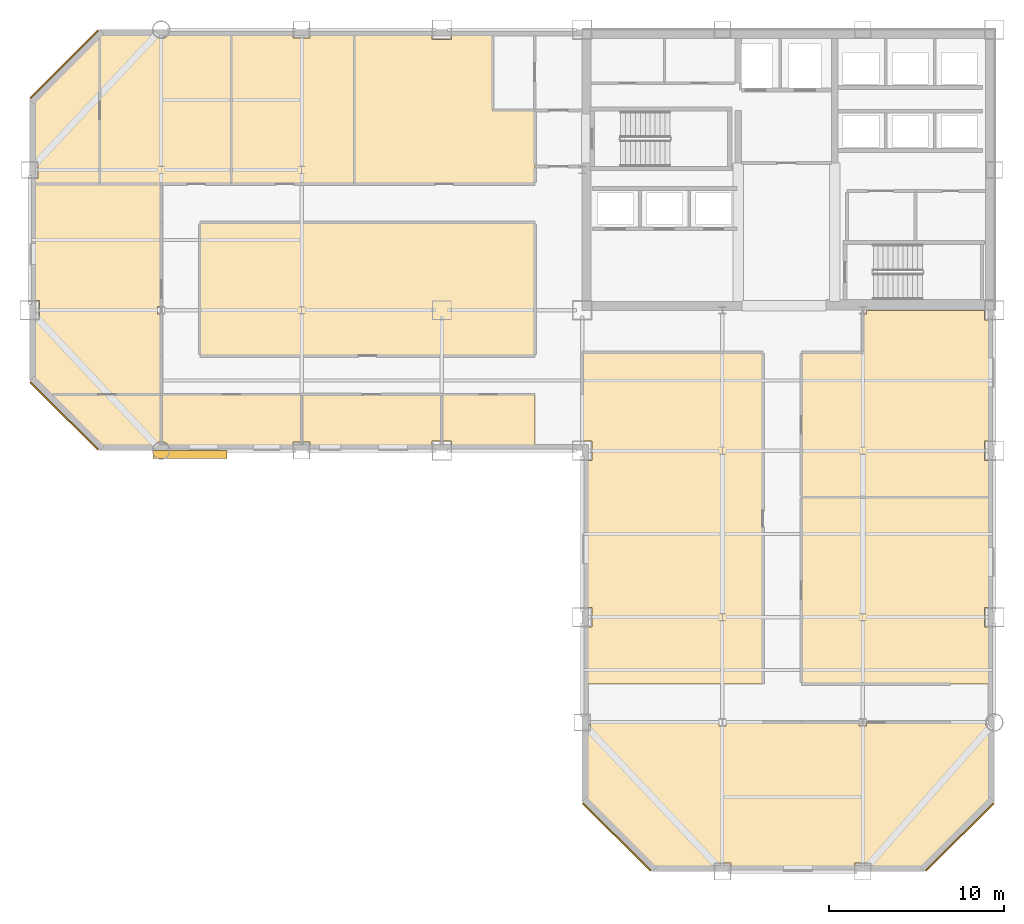
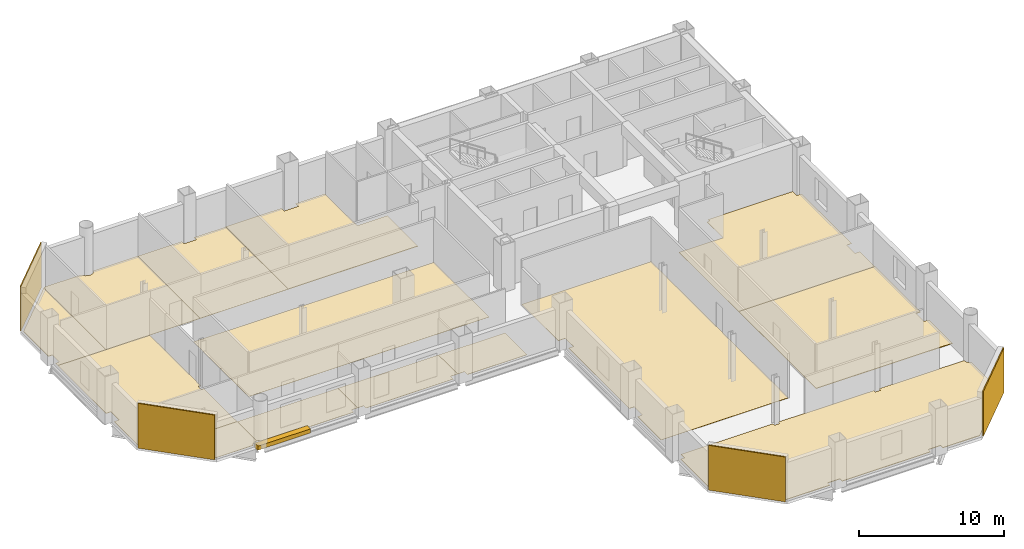
# One storey, part 9 of 10: 18 coverings, 1 shading device.
"""IFC4 building model written with IfcOpenShell, lengths in metres."""

from ifc_helpers import new_model, si_unit, direction, frame, origin, origin_2d, place, context, subcontext, project, spatial, polyline, rectangle, outline, extrude, material, layer, layer_set, type_object, element, save


model = new_model("IFC4")

# Units and contexts
model_context = context("Model", 3, precision=1e-05, world=origin(), true_north=direction((0.0, 1.0)))
body_context = subcontext(model_context, "Body", "Model", "MODEL_VIEW")
ifc_project = project(units=[si_unit("LENGTHUNIT", "METRE"), si_unit("AREAUNIT", "SQUARE_METRE"), si_unit("VOLUMEUNIT", "CUBIC_METRE"), si_unit("PLANEANGLEUNIT", "RADIAN"), si_unit("MASSUNIT", "GRAM", prefix="KILO")], contexts=[model_context])

# Site, building, storey
site_placement = place(None, origin())
site = spatial("IfcSite", under=ifc_project, at=site_placement, CompositionType="ELEMENT")
building_placement = place(site_placement, origin())
building = spatial("IfcBuilding", under=site, at=building_placement, Name="Qianrong Seaharbour Tower", CompositionType="ELEMENT")
storey_placement = place(building_placement, frame((0.0, 0.0, 167.0)))
storey = spatial("IfcBuildingStorey", under=building, at=storey_placement, Name="L40", CompositionType="ELEMENT", Elevation=167.0)

# Coverings
ifc_material_1 = material(Name="Unitised red brick cladding on Precast concrete C45/55", Category="masonry")
ifc_layer_1 = layer(ifc_material_1, 0.080078125)
ifc_layer_set_1 = layer_set([ifc_layer_1], Name="Unitised red brick cladding on Precast concrete C45/55")
covering_type_1 = type_object("IfcCoveringType", Name="COV-CLAD-RED-BRICK-80", PredefinedType="CLADDING", material=ifc_layer_set_1)
for number, where, z_axis, x_axis, name in (
    (1, (10.9716796875, 29.9716796875, 0.0), (0.0, 0.0, 1.0), (-0.707106781187, 0.707106781187, 0.0), "L40 Chamfer Corner Brick Cladding 02"),
    (2, (10.9716796875, 50.0283203125, 0.0), (0.0, 0.0, 1.0), (0.707106781187, 0.707106781187, 0.0), "L40 Chamfer Corner Brick Cladding 04"),
    (3, (62.0283203125, 5.9716796875, 0.0), (0.0, 0.0, 1.0), (-0.707106781187, -0.707106781187, 0.0), "L40 Chamfer Corner Brick Cladding 07"),
    (4, (42.4716796875, 5.9716796875, 0.0), (0.0, 0.0, 1.0), (-0.707106781187, 0.707106781187, 0.0), "L40 Chamfer Corner Brick Cladding 09"),
):
    element("IfcCovering", number, at=place(storey_placement, frame(where, z_axis=z_axis, x_axis=x_axis)), inside=storey, type_object=covering_type_1, Name=name, PredefinedType="CLADDING", context=body_context, shape_type="SweptSolid", body=[
        extrude(rectangle(XDim=5.456787109375, YDim=0.080078125, at=origin_2d()), origin(), (0.0, 0.0, 1.0), 3.764892578125),
    ])
ifc_material_2 = material(Name="Acoustic modular carpet tile flooring")
ifc_layer_2 = layer(ifc_material_2, 0.02001953125)
ifc_layer_set_2 = layer_set([ifc_layer_2], Name="Acoustic modular carpet tile flooring")
covering_type_2 = type_object("IfcCoveringType", Name="COV-FLOOR-CARPET-20", PredefinedType="FLOORING", material=ifc_layer_set_2)
covering_1_placement = place(storey_placement, origin())
element("IfcCovering", 5, at=covering_1_placement, inside=storey, type_object=covering_type_2, Name="L40 Wellness Room 1 Finish Flooring", PredefinedType="FLOORING", context=body_context, shape_type="SweptSolid", body=[
    extrude(outline(polyline([(56.5, 33.60009765625), (56.5, 35.7900390625), (56.7099609375, 35.7900390625), (56.7099609375, 36.0), (63.43994140625, 36.0), (63.43994140625, 35.43994140625), (63.824951171875, 35.43994140625), (63.824951171875, 28.56005859375), (63.43994140625, 28.56005859375), (63.43994140625, 27.43994140625), (63.824951171875, 27.43994140625), (63.824951171875, 25.35009765625), (53.0, 25.35009765625), (53.0, 33.60009765625), (56.5, 33.60009765625)])), origin(), (0.0, 0.0, 1.0), 0.02001953125),
])
covering_2_placement = place(storey_placement, origin())
element("IfcCovering", 6, at=covering_2_placement, inside=storey, type_object=covering_type_2, Name="L40 Occupational Health Clinic 1 Finish Flooring", PredefinedType="FLOORING", context=body_context, shape_type="SweptSolid", body=[
    extrude(outline(polyline([(9.175048828125, 43.514892578125), (9.485107421875, 43.514892578125), (9.485107421875, 44.485107421875), (9.175048828125, 44.485107421875), (9.175048828125, 47.927490234375), (13.0, 51.75244140625), (13.0, 43.199951171875), (9.175048828125, 43.199951171875), (9.175048828125, 43.514892578125)])), origin(), (0.0, 0.0, 1.0), 0.02001953125),
])
covering_3_placement = place(storey_placement, origin())
element("IfcCovering", 7, at=covering_3_placement, inside=storey, type_object=covering_type_2, Name="L40 Physiotherapy Room 2 Finish Flooring", PredefinedType="FLOORING", context=body_context, shape_type="SweptSolid", body=[
    extrude(outline(polyline([(13.0, 51.75244140625), (13.072509765625, 51.824951171875), (16.022705078125, 51.824951171875), (16.02880859375, 51.8046875), (16.075927734375, 51.716796875), (16.139404296875, 51.639404296875), (16.216796875, 51.575927734375), (16.3046875, 51.52880859375), (16.400390625, 51.499755859375), (16.5, 51.489990234375), (16.599609375, 51.499755859375), (16.6953125, 51.52880859375), (16.783203125, 51.575927734375), (16.860595703125, 51.639404296875), (16.924072265625, 51.716796875), (16.97119140625, 51.8046875), (16.977294921875, 51.824951171875), (20.5, 51.824951171875), (20.5, 43.199951171875), (13.0, 43.199951171875), (13.0, 51.75244140625)])), origin(), (0.0, 0.0, 1.0), 0.02001953125),
])
covering_4_placement = place(storey_placement, origin())
element("IfcCovering", 8, at=covering_4_placement, inside=storey, type_object=covering_type_2, Name="L40 First Aid Nursing Room 3 Finish Flooring", PredefinedType="FLOORING", context=body_context, shape_type="SweptSolid", body=[
    extrude(outline(polyline([(20.5, 51.824951171875), (24.014892578125, 51.824951171875), (24.014892578125, 51.514892578125), (24.985107421875, 51.514892578125), (24.985107421875, 51.824951171875), (27.5, 51.824951171875), (27.5, 43.199951171875), (20.5, 43.199951171875), (20.5, 51.824951171875)])), origin(), (0.0, 0.0, 1.0), 0.02001953125),
])
covering_5_placement = place(storey_placement, origin())
element("IfcCovering", 9, at=covering_5_placement, inside=storey, type_object=covering_type_2, Name="L40 Rehabilitation Fitness Hall Finish Flooring", PredefinedType="FLOORING", context=body_context, shape_type="SweptSolid", body=[
    extrude(outline(polyline([(37.800048828125, 41.0), (37.800048828125, 33.39990234375), (18.699951171875, 33.39990234375), (18.699951171875, 41.0), (37.800048828125, 41.0)])), origin(), (0.0, 0.0, 1.0), 0.02001953125),
])
covering_6_placement = place(storey_placement, origin())
element("IfcCovering", 10, at=covering_6_placement, inside=storey, type_object=covering_type_2, Name="L40 Wellness Room 1 Finish Flooring", PredefinedType="FLOORING", context=body_context, shape_type="SweptSolid", body=[
    extrude(outline(polyline([(13.072509765625, 28.175048828125), (10.047607421875, 31.199951171875), (16.5, 31.199951171875), (16.5, 28.510009765625), (16.400390625, 28.500244140625), (16.3046875, 28.47119140625), (16.216796875, 28.424072265625), (16.139404296875, 28.360595703125), (16.075927734375, 28.283203125), (16.02880859375, 28.1953125), (16.022705078125, 28.175048828125), (13.072509765625, 28.175048828125)])), origin(), (0.0, 0.0, 1.0), 0.02001953125),
])
covering_7_placement = place(storey_placement, origin())
element("IfcCovering", 11, at=covering_7_placement, inside=storey, type_object=covering_type_2, Name="L40 Wet Pantry 2 Finish Flooring", PredefinedType="FLOORING", context=body_context, shape_type="SweptSolid", body=[
    extrude(outline(polyline([(24.5, 28.485107421875), (24.014892578125, 28.485107421875), (24.014892578125, 28.175048828125), (16.977294921875, 28.175048828125), (16.97119140625, 28.1953125), (16.924072265625, 28.283203125), (16.860595703125, 28.360595703125), (16.783203125, 28.424072265625), (16.6953125, 28.47119140625), (16.599609375, 28.500244140625), (16.5, 28.510009765625), (16.5, 31.199951171875), (24.5, 31.199951171875), (24.5, 28.485107421875)])), origin(), (0.0, 0.0, 1.0), 0.02001953125),
])
covering_8_placement = place(storey_placement, origin())
element("IfcCovering", 12, at=covering_8_placement, inside=storey, type_object=covering_type_2, Name="L40 Wellness Room 3 Finish Flooring", PredefinedType="FLOORING", context=body_context, shape_type="SweptSolid", body=[
    extrude(outline(polyline([(32.5, 28.56005859375), (31.93994140625, 28.56005859375), (31.93994140625, 28.175048828125), (24.985107421875, 28.175048828125), (24.985107421875, 28.485107421875), (24.5, 28.485107421875), (24.5, 31.199951171875), (32.5, 31.199951171875), (32.5, 28.56005859375)])), origin(), (0.0, 0.0, 1.0), 0.02001953125),
])
covering_9_placement = place(storey_placement, origin())
element("IfcCovering", 13, at=covering_9_placement, inside=storey, type_object=covering_type_2, Name="L40 Wet Pantry 4 Finish Flooring", PredefinedType="FLOORING", context=body_context, shape_type="SweptSolid", body=[
    extrude(outline(polyline([(37.800048828125, 28.175048828125), (33.06005859375, 28.175048828125), (33.06005859375, 28.56005859375), (32.5, 28.56005859375), (32.5, 31.199951171875), (37.800048828125, 31.199951171875), (37.800048828125, 28.175048828125)])), origin(), (0.0, 0.0, 1.0), 0.02001953125),
])
covering_10_placement = place(storey_placement, origin())
element("IfcCovering", 14, at=covering_10_placement, inside=storey, type_object=covering_type_2, Name="L40 Ergonomics Assessment Hall Finish Flooring", PredefinedType="FLOORING", context=body_context, shape_type="SweptSolid", body=[
    extrude(outline(polyline([(10.047607421875, 31.199951171875), (9.175048828125, 32.072509765625), (9.175048828125, 35.43994140625), (9.56005859375, 35.43994140625), (9.56005859375, 36.56005859375), (9.175048828125, 36.56005859375), (9.175048828125, 43.199951171875), (16.5, 43.199951171875), (16.5, 36.2099609375), (16.2900390625, 36.2099609375), (16.2900390625, 35.7900390625), (16.5, 35.7900390625), (16.5, 31.199951171875), (10.047607421875, 31.199951171875)])), origin(), (0.0, 0.0, 1.0), 0.02001953125),
])
covering_11_placement = place(storey_placement, origin())
element("IfcCovering", 15, at=covering_11_placement, inside=storey, type_object=covering_type_2, Name="L40 Clinical Dispensary Store Finish Flooring", PredefinedType="FLOORING", context=body_context, shape_type="SweptSolid", body=[
    extrude(outline(polyline([(50.800048828125, 14.699951171875), (40.675048828125, 14.699951171875), (40.675048828125, 17.93994140625), (41.06005859375, 17.93994140625), (41.06005859375, 19.06005859375), (40.675048828125, 19.06005859375), (40.675048828125, 27.43994140625), (41.06005859375, 27.43994140625), (41.06005859375, 28.56005859375), (40.5, 28.56005859375), (40.5, 33.60009765625), (50.800048828125, 33.60009765625), (50.800048828125, 14.699951171875)])), origin(), (0.0, 0.0, 1.0), 0.02001953125),
])
ifc_material_3 = material(Name="Calcium-sulphate raised access floor tile")
ifc_layer_3 = layer(ifc_material_3, 0.044921875)
ifc_layer_set_3 = layer_set([ifc_layer_3], Name="Calcium-sulphate raised access floor tile")
covering_type_3 = type_object("IfcCoveringType", Name="COV-FLOOR-RAISED-45", PredefinedType="FLOORING", material=ifc_layer_set_3)
covering_12_placement = place(storey_placement, origin())
element("IfcCovering", 16, at=covering_12_placement, inside=storey, type_object=covering_type_3, Name="L40 South Tip Open-Plan Office Finish Flooring", PredefinedType="FLOORING", context=body_context, shape_type="SweptSolid", body=[
    extrude(outline(polyline([(59.927490234375, 4.175048828125), (56.985107421875, 4.175048828125), (56.985107421875, 4.485107421875), (56.014892578125, 4.485107421875), (56.014892578125, 4.175048828125), (48.985107421875, 4.175048828125), (48.985107421875, 4.485107421875), (48.014892578125, 4.485107421875), (48.014892578125, 4.175048828125), (44.572509765625, 4.175048828125), (40.675048828125, 8.072509765625), (40.675048828125, 12.014892578125), (40.985107421875, 12.014892578125), (40.985107421875, 12.5), (48.2900390625, 12.5), (48.2900390625, 12.2900390625), (48.7099609375, 12.2900390625), (48.7099609375, 12.5), (56.2900390625, 12.5), (56.2900390625, 12.2900390625), (56.7099609375, 12.2900390625), (56.7099609375, 12.5), (63.489990234375, 12.5), (63.499755859375, 12.400390625), (63.52880859375, 12.3046875), (63.575927734375, 12.216796875), (63.639404296875, 12.139404296875), (63.716796875, 12.075927734375), (63.8046875, 12.02880859375), (63.824951171875, 12.022705078125), (63.824951171875, 8.072509765625), (59.927490234375, 4.175048828125)])), origin(), (0.0, 0.0, 1.0), 0.044921875),
])
covering_13_placement = place(storey_placement, origin())
element("IfcCovering", 17, at=covering_13_placement, inside=storey, type_object=covering_type_3, Name="L40 Operations Open-Plan Office Finish Flooring", PredefinedType="FLOORING", context=body_context, shape_type="SweptSolid", body=[
    extrude(outline(polyline([(63.824951171875, 25.35009765625), (63.824951171875, 19.06005859375), (63.43994140625, 19.06005859375), (63.43994140625, 17.93994140625), (63.824951171875, 17.93994140625), (63.824951171875, 14.699951171875), (53.0, 14.699951171875), (53.0, 25.35009765625), (63.824951171875, 25.35009765625)])), origin(), (0.0, 0.0, 1.0), 0.044921875),
])
covering_14_placement = place(storey_placement, origin())
element("IfcCovering", 18, at=covering_14_placement, inside=storey, type_object=covering_type_3, Name="L40 Case Coordinator Office 4 Finish Flooring", PredefinedType="FLOORING", context=body_context, shape_type="SweptSolid", body=[
    extrude(outline(polyline([(27.5, 51.824951171875), (31.93994140625, 51.824951171875), (31.93994140625, 51.43994140625), (33.06005859375, 51.43994140625), (33.06005859375, 51.824951171875), (35.39990234375, 51.824951171875), (35.39990234375, 47.39990234375), (37.800048828125, 47.39990234375), (37.800048828125, 43.199951171875), (27.5, 43.199951171875), (27.5, 51.824951171875)])), origin(), (0.0, 0.0, 1.0), 0.044921875),
])

# Shading device
ifc_material_4 = material(Name="White architectural precast concrete C45/55", Category="concrete")
shading_device_type = type_object("IfcShadingDeviceType", Name="SHD-SUNSHADE-WHITE-320", PredefinedType="AWNING", material=ifc_material_4)
shading_device_placement = place(storey_placement, frame((18.137451171875, 27.780029296875, -0.02001953125), z_axis=(0.0, 0.0, 1.0), x_axis=(1.0, 0.0, 0.0)))
element("IfcShadingDevice", 19, at=shading_device_placement, inside=storey, type_object=shading_device_type, Name="L40 Climbing White Precast Ribbon Canopy Fin", PredefinedType="AWNING", context=body_context, shape_type="SweptSolid", body=[
    extrude(rectangle(XDim=4.199951171875, YDim=0.4599609375, at=origin_2d()), origin(), (0.0, 0.0, 1.0), 0.340087890625),
])

save(model, "model.ifc")
